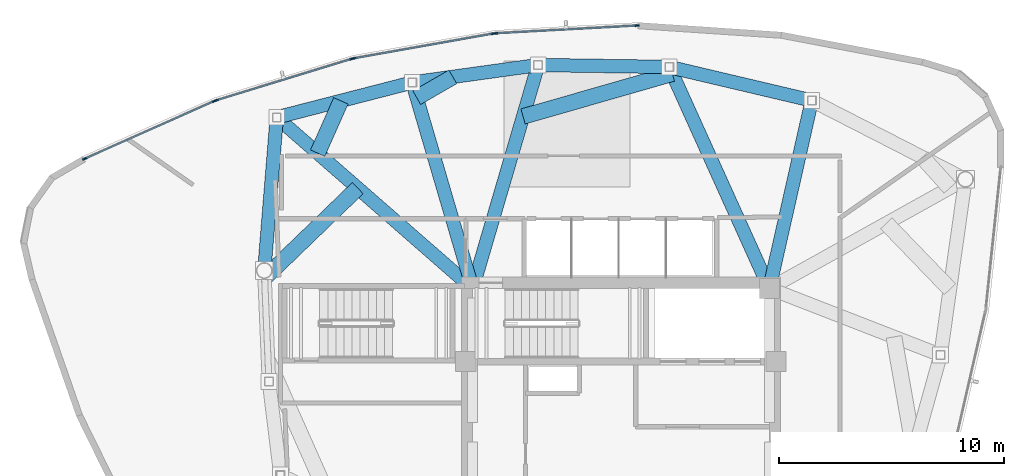
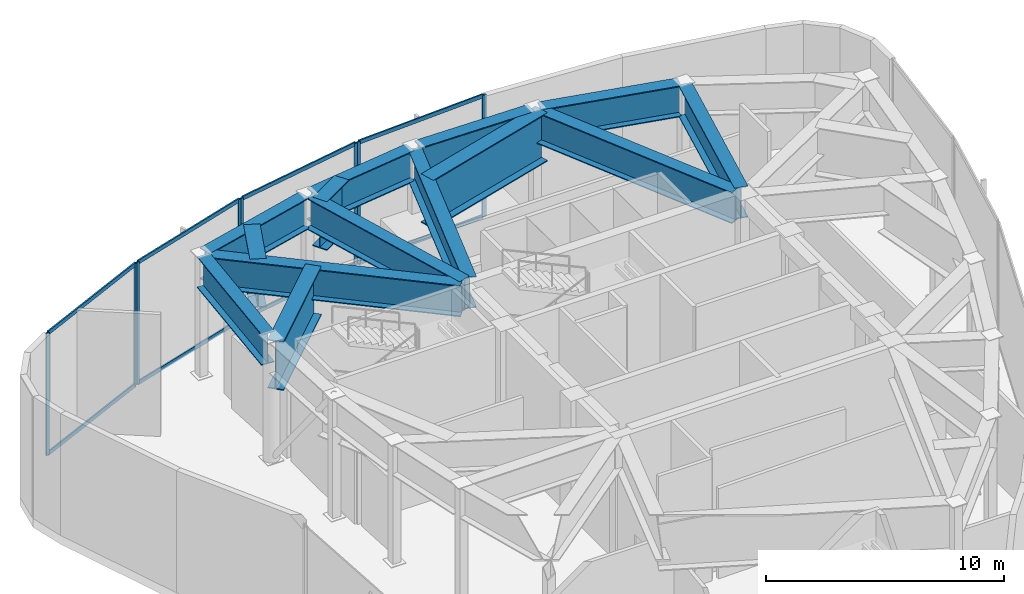
# One storey, part 5 of 13: 16 members, 14 beams, 4 elements without a shape of their own.
"""IFC4 building model written with IfcOpenShell, lengths in metres."""

from ifc_helpers import new_model, si_unit, direction, frame, origin, origin_2d, place, context, subcontext, project, spatial, hollow_rectangle, i_section, extrude, source, transform, mapped, material, layer, layer_set, material_profile, profile_set, type_object, type_shapes, element, aggregate, save


model = new_model("IFC4")

# Units and contexts
model_context = context("Model", 3, precision=1e-05, world=origin(), true_north=direction((0.0, 1.0)))
body_context = subcontext(model_context, "Body", "Model", "MODEL_VIEW")
ifc_project = project(units=[si_unit("LENGTHUNIT", "METRE"), si_unit("AREAUNIT", "SQUARE_METRE"), si_unit("VOLUMEUNIT", "CUBIC_METRE"), si_unit("PLANEANGLEUNIT", "RADIAN"), si_unit("MASSUNIT", "GRAM", prefix="KILO")], contexts=[model_context])

# Site, building, storey
site_placement = place(None, origin())
site = spatial("IfcSite", under=ifc_project, at=site_placement, CompositionType="ELEMENT")
building_placement = place(site_placement, origin())
building = spatial("IfcBuilding", under=site, at=building_placement, Name="Tavelor Broadcast Tower", CompositionType="ELEMENT")
storey_placement = place(building_placement, frame((0.0, 0.0, 325.5)))
storey = spatial("IfcBuildingStorey", under=building, at=storey_placement, Name="L78", CompositionType="ELEMENT", Elevation=325.5)

# Beams
ifc_material_1 = material(Name="Steel S460", Category="steel")
ifc_material_profile_1 = material_profile(ifc_material_1, i_section(OverallWidth=0.60009765625, OverallDepth=1.60009765625, WebThickness=0.028076171875, FlangeThickness=0.048095703125, at=origin_2d()), Name="PG 1600x600")
ifc_profile_set_1 = profile_set([ifc_material_profile_1], Name="Steel S460")
beam_type_1 = type_object("IfcBeamType", Name="Crown and Spire Transfer Girder PG1600", PredefinedType="BEAM", material=ifc_profile_set_1)
beam_1_placement = place(storey_placement, frame((58.298583984375, 59.601318359375, 5.449951171875), z_axis=(-0.973341352965, 0.229361310181, 0.0), x_axis=(-0.229361310181, -0.973341352965, 0.0)))
element("IfcBeam", 1, at=beam_1_placement, inside=storey, type_object=beam_type_1, Name="L78 Framed-Tube Ring Spandrel 14", PredefinedType="BEAM", context=body_context, shape_type="SweptSolid", body=[
    extrude(i_section(OverallWidth=0.60009765625, OverallDepth=1.60009765625, WebThickness=0.028076171875, FlangeThickness=0.048095703125, at=origin_2d()), origin(), (0.0, 0.0, 1.0), 6.1279296875),
])
beam_2_placement = place(storey_placement, frame((51.955078125, 61.0537109375, 5.449951171875), z_axis=(-0.999889988423, 0.014832769514, 0.0), x_axis=(-0.014832769514, -0.999889988423, 0.0)))
element("IfcBeam", 2, at=beam_2_placement, inside=storey, type_object=beam_type_1, Name="L78 Framed-Tube Ring Spandrel 15", PredefinedType="BEAM", context=body_context, shape_type="SweptSolid", body=[
    extrude(i_section(OverallWidth=0.60009765625, OverallDepth=1.60009765625, WebThickness=0.028076171875, FlangeThickness=0.048095703125, at=origin_2d()), origin(), (0.0, 0.0, 1.0), 5.447998046875),
])
beam_3_placement = place(storey_placement, frame((46.125244140625, 61.11083984375, 5.449951171875), z_axis=(-0.990516995132, -0.137390255677, 0.0), x_axis=(0.137390255677, -0.990516995132, 0.0)))
element("IfcBeam", 3, at=beam_3_placement, inside=storey, type_object=beam_type_1, Name="L78 Framed-Tube Ring Spandrel 16", PredefinedType="BEAM", context=body_context, shape_type="SweptSolid", body=[
    extrude(i_section(OverallWidth=0.60009765625, OverallDepth=1.60009765625, WebThickness=0.028076171875, FlangeThickness=0.048095703125, at=origin_2d()), origin(), (0.0, 0.0, 1.0), 5.26708984375),
])
beam_4_placement = place(storey_placement, frame((40.531982421875, 60.31298828125, 5.449951171875), z_axis=(-0.96843501409, -0.249266169955, 0.0), x_axis=(0.249266169955, -0.96843501409, 0.0)))
element("IfcBeam", 4, at=beam_4_placement, inside=storey, type_object=beam_type_1, Name="L78 Framed-Tube Ring Spandrel 17", PredefinedType="BEAM", context=body_context, shape_type="SweptSolid", body=[
    extrude(i_section(OverallWidth=0.60009765625, OverallDepth=1.60009765625, WebThickness=0.028076171875, FlangeThickness=0.048095703125, at=origin_2d()), origin(), (0.0, 0.0, 1.0), 5.84130859375),
])
beam_5_placement = place(storey_placement, frame((34.673583984375, 58.61767578125, 5.449951171875), z_axis=(-0.081080064874, -0.996707591563, 0.0), x_axis=(0.996707591563, -0.081080064874, 0.0)))
element("IfcBeam", 5, at=beam_5_placement, inside=storey, type_object=beam_type_1, Name="L78 Framed-Tube Ring Spandrel 18", PredefinedType="BEAM", context=body_context, shape_type="SweptSolid", body=[
    extrude(i_section(OverallWidth=0.60009765625, OverallDepth=1.60009765625, WebThickness=0.028076171875, FlangeThickness=0.048095703125, at=origin_2d()), origin(), (0.0, 0.0, 1.0), 6.30224609375),
])
beam_6_placement = place(storey_placement, frame((56.695068359375, 51.621337890625, 5.449951171875), z_axis=(0.220095779936, 0.975478266111, 0.0), x_axis=(-0.975478266111, 0.220095779936, 0.0)))
element("IfcBeam", 6, at=beam_6_placement, inside=storey, type_object=beam_type_1, Name="L78 Radial Primary Floor Girder 14", PredefinedType="BEAM", context=body_context, shape_type="SweptSolid", body=[
    extrude(i_section(OverallWidth=0.60009765625, OverallDepth=1.60009765625, WebThickness=0.028076171875, FlangeThickness=0.048095703125, at=origin_2d()), origin(), (0.0, 0.0, 1.0), 7.943359375),
])
beam_7_placement = place(storey_placement, frame((56.422119140625, 51.59375, 5.449951171875), z_axis=(-0.411898788623, 0.911229602203, 0.0), x_axis=(-0.911229602203, -0.411898788623, 0.0)))
element("IfcBeam", 7, at=beam_7_placement, inside=storey, type_object=beam_type_1, Name="L78 Radial Primary Floor Girder 15", PredefinedType="BEAM", context=body_context, shape_type="SweptSolid", body=[
    extrude(i_section(OverallWidth=0.60009765625, OverallDepth=1.60009765625, WebThickness=0.028076171875, FlangeThickness=0.048095703125, at=origin_2d()), origin(), (0.0, 0.0, 1.0), 10.1865234375),
])
beam_8_placement = place(storey_placement, frame((43.521484375, 51.614501953125, 5.449951171875), z_axis=(0.281536086391, 0.959550640696, 0.0), x_axis=(-0.959550640696, 0.281536086391, 0.0)))
element("IfcBeam", 8, at=beam_8_placement, inside=storey, type_object=beam_type_1, Name="L78 Radial Primary Floor Girder 16", PredefinedType="BEAM", context=body_context, shape_type="SweptSolid", body=[
    extrude(i_section(OverallWidth=0.60009765625, OverallDepth=1.60009765625, WebThickness=0.028076171875, FlangeThickness=0.048095703125, at=origin_2d()), origin(), (0.0, 0.0, 1.0), 9.732177734375),
])
beam_9_placement = place(storey_placement, frame((43.278564453125, 51.614501953125, 5.449951171875), z_axis=(-0.280989740676, 0.959710771866, 0.0), x_axis=(-0.959710771866, -0.280989740676, 0.0)))
element("IfcBeam", 9, at=beam_9_placement, inside=storey, type_object=beam_type_1, Name="L78 Radial Primary Floor Girder 17", PredefinedType="BEAM", context=body_context, shape_type="SweptSolid", body=[
    extrude(i_section(OverallWidth=0.60009765625, OverallDepth=1.60009765625, WebThickness=0.028076171875, FlangeThickness=0.048095703125, at=origin_2d()), origin(), (0.0, 0.0, 1.0), 8.92138671875),
])
beam_10_placement = place(storey_placement, frame((43.07470703125, 51.484130859375, 5.449951171875), z_axis=(-0.753136193323, 0.657864632206, 0.0), x_axis=(-0.657864632206, -0.753136193323, 0.0)))
element("IfcBeam", 10, at=beam_10_placement, inside=storey, type_object=beam_type_1, Name="L78 Radial Primary Floor Girder 18", PredefinedType="BEAM", context=body_context, shape_type="SweptSolid", body=[
    extrude(i_section(OverallWidth=0.60009765625, OverallDepth=1.60009765625, WebThickness=0.028076171875, FlangeThickness=0.048095703125, at=origin_2d()), origin(), (0.0, 0.0, 1.0), 10.942138671875),
])
ifc_material_profile_2 = material_profile(ifc_material_1, i_section(OverallWidth=0.699951171875, OverallDepth=2.5, WebThickness=0.031982421875, FlangeThickness=0.052001953125, at=origin_2d()), Name="PG 2500x700")
ifc_profile_set_2 = profile_set([ifc_material_profile_2], Name="Steel S460")
beam_type_2 = type_object("IfcBeamType", Name="Opposite Slide Transfer Girder HEB900", PredefinedType="BEAM", material=ifc_profile_set_2)
beam_11_placement = place(storey_placement, frame((36.50830078125, 57.219970703125, 5.0), z_axis=(0.406717304238, 0.913554067603, 0.0), x_axis=(-0.913554067603, 0.406717304238, 0.0)))
element("IfcBeam", 11, at=beam_11_placement, inside=storey, type_object=beam_type_2, Name="L78 Transfer Header Girder 01", PredefinedType="BEAM", context=body_context, shape_type="SweptSolid", body=[
    extrude(i_section(OverallWidth=0.699951171875, OverallDepth=2.5, WebThickness=0.031982421875, FlangeThickness=0.052001953125, at=origin_2d()), origin(), (0.0, 0.0, 1.0), 2.54345703125),
])
beam_12_placement = place(storey_placement, frame((34.148681640625, 51.663818359375, 5.0), z_axis=(0.719338621717, 0.694659590955, 0.0), x_axis=(-0.694659590955, 0.719338621717, 0.0)))
element("IfcBeam", 12, at=beam_12_placement, inside=storey, type_object=beam_type_2, Name="L78 Transfer Header Girder 02", PredefinedType="BEAM", context=body_context, shape_type="SweptSolid", body=[
    extrude(i_section(OverallWidth=0.699951171875, OverallDepth=2.5, WebThickness=0.031982421875, FlangeThickness=0.052001953125, at=origin_2d()), origin(), (0.0, 0.0, 1.0), 5.757568359375),
])
beam_13_placement = place(storey_placement, frame((45.644287109375, 58.84912109375, 5.0), z_axis=(0.961252641841, 0.275668929249, 0.0), x_axis=(-0.275668929249, 0.961252641841, 0.0)))
element("IfcBeam", 13, at=beam_13_placement, inside=storey, type_object=beam_type_2, Name="L78 Transfer Header Girder 08", PredefinedType="BEAM", context=body_context, shape_type="SweptSolid", body=[
    extrude(i_section(OverallWidth=0.699951171875, OverallDepth=2.5, WebThickness=0.031982421875, FlangeThickness=0.052001953125, at=origin_2d()), origin(), (0.0, 0.0, 1.0), 6.9052734375),
])
beam_14_placement = place(storey_placement, frame((40.916015625, 59.684326171875, 5.0), z_axis=(0.865988083811, 0.50006463452, 0.0), x_axis=(-0.50006463452, 0.865988083811, 0.0)))
element("IfcBeam", 14, at=beam_14_placement, inside=storey, type_object=beam_type_2, Name="L78 Transfer Header Girder 10", PredefinedType="BEAM", context=body_context, shape_type="SweptSolid", body=[
    extrude(i_section(OverallWidth=0.699951171875, OverallDepth=2.5, WebThickness=0.031982421875, FlangeThickness=0.052001953125, at=origin_2d()), origin(), (0.0, 0.0, 1.0), 1.852783203125),
])

# Curtain wall, members
ifc_material_2 = material(Name="Architectural Anodized Aluminium", Category="aluminium")
ifc_layer = layer(ifc_material_2, 0.199951171875)
ifc_layer_set = layer_set([ifc_layer], Name="Architectural Anodized Aluminium")
curtain_wall_type = type_object("IfcCurtainWallType", Name="Tower High-Zone Triple-Glazed Curtain Wall CW04", PredefinedType="NOTDEFINED", material=ifc_layer_set)
curtain_wall_1_placement = place(storey_placement, origin())
curtain_wall_1 = element("IfcCurtainWall", 15, at=curtain_wall_1_placement, inside=storey, type_object=curtain_wall_type, Name="L78 Curtain Wall CW04 Run 873", PredefinedType="NOTDEFINED")
ifc_material_profile_3 = material_profile(ifc_material_2, hollow_rectangle(XDim=0.070068359375, YDim=0.199951171875, WallThickness=0.02197265625, at=origin_2d()), Name="RHS 70x200x22")
ifc_profile_set_3 = profile_set([ifc_material_profile_3], Name="Architectural Anodized Aluminium")
member_type_1 = type_object("IfcMemberType", Name="CW04 Extruded Aluminium Mullion 70x200", PredefinedType="MULLION", material=ifc_profile_set_3)
shared_shape_1 = source(origin(), body_context, "Body", "SweptSolid", [
    extrude(hollow_rectangle(XDim=0.070068359375, YDim=0.199951171875, WallThickness=0.02197265625, at=origin_2d()), origin(), (0.0, 0.0, 1.0), 6.25),
])
type_shapes(member_type_1, [shared_shape_1])
member_1_placement = place(storey_placement, frame((50.72119140625, 62.889892578125, 0.0), z_axis=(0.0, 0.0, 1.0), x_axis=(0.054494325177, -0.998514080283, 0.0)))
member_1 = element("IfcMember", 16, at=member_1_placement, type_object=member_type_1, Name="CW04 mullion 1", PredefinedType="MULLION", context=body_context, shape_type="MappedRepresentation", body=[
    mapped(shared_shape_1, transform((0.0, 0.0, 0.0), scale=1.0)),
])
member_2_placement = place(storey_placement, frame((44.420166015625, 62.546142578125, 0.0), z_axis=(0.0, 0.0, 1.0), x_axis=(0.054494325177, -0.998514080283, 0.0)))
member_2 = element("IfcMember", 17, at=member_2_placement, type_object=member_type_1, Name="CW04 mullion 2", PredefinedType="MULLION", context=body_context, shape_type="MappedRepresentation", body=[
    mapped(shared_shape_1, transform((0.0, 0.0, 0.0), scale=1.0)),
])

curtain_wall_2_placement = place(storey_placement, origin())
curtain_wall_2 = element("IfcCurtainWall", 18, at=curtain_wall_2_placement, inside=storey, type_object=curtain_wall_type, Name="L78 Curtain Wall CW04 Run 874", PredefinedType="NOTDEFINED")
member_3_placement = place(storey_placement, frame((44.321044921875, 62.53466796875, 0.0), z_axis=(0.0, 0.0, 1.0), x_axis=(0.174926058903, -0.984581573013, 0.0)))
member_3 = element("IfcMember", 19, at=member_3_placement, type_object=member_type_1, Name="CW04 mullion 1", PredefinedType="MULLION", context=body_context, shape_type="MappedRepresentation", body=[
    mapped(shared_shape_1, transform((0.0, 0.0, 0.0), scale=1.0)),
])
member_4_placement = place(storey_placement, frame((38.12255859375, 61.433349609375, 0.0), z_axis=(0.0, 0.0, 1.0), x_axis=(0.174926058903, -0.984581573013, 0.0)))
member_4 = element("IfcMember", 20, at=member_4_placement, type_object=member_type_1, Name="CW04 mullion 2", PredefinedType="MULLION", context=body_context, shape_type="MappedRepresentation", body=[
    mapped(shared_shape_1, transform((0.0, 0.0, 0.0), scale=1.0)),
])

curtain_wall_3_placement = place(storey_placement, origin())
curtain_wall_3 = element("IfcCurtainWall", 21, at=curtain_wall_3_placement, inside=storey, type_object=curtain_wall_type, Name="L78 Curtain Wall CW04 Run 875", PredefinedType="NOTDEFINED")
member_5_placement = place(storey_placement, frame((38.025390625, 61.409912109375, 0.0), z_axis=(0.0, 0.0, 1.0), x_axis=(0.292812764146, -0.956169799331, 0.0)))
member_5 = element("IfcMember", 22, at=member_5_placement, type_object=member_type_1, Name="CW04 mullion 1", PredefinedType="MULLION", context=body_context, shape_type="MappedRepresentation", body=[
    mapped(shared_shape_1, transform((0.0, 0.0, 0.0), scale=1.0)),
])
member_6_placement = place(storey_placement, frame((32.005859375, 59.566650390625, 0.0), z_axis=(0.0, 0.0, 1.0), x_axis=(0.292812764146, -0.956169799331, 0.0)))
member_6 = element("IfcMember", 23, at=member_6_placement, type_object=member_type_1, Name="CW04 mullion 2", PredefinedType="MULLION", context=body_context, shape_type="MappedRepresentation", body=[
    mapped(shared_shape_1, transform((0.0, 0.0, 0.0), scale=1.0)),
])

curtain_wall_4_placement = place(storey_placement, origin())
curtain_wall_4 = element("IfcCurtainWall", 24, at=curtain_wall_4_placement, inside=storey, type_object=curtain_wall_type, Name="L78 Curtain Wall CW04 Run 876", PredefinedType="NOTDEFINED")
member_7_placement = place(storey_placement, frame((31.912353515625, 59.531494140625, 0.0), z_axis=(0.0, 0.0, 1.0), x_axis=(0.406365270721, -0.913710712836, 0.0)))
member_7 = element("IfcMember", 25, at=member_7_placement, type_object=member_type_1, Name="CW04 mullion 1", PredefinedType="MULLION", context=body_context, shape_type="MappedRepresentation", body=[
    mapped(shared_shape_1, transform((0.0, 0.0, 0.0), scale=1.0)),
])
member_8_placement = place(storey_placement, frame((26.1455078125, 56.966796875, 0.0), z_axis=(0.0, 0.0, 1.0), x_axis=(0.406365270721, -0.913710712836, 0.0)))
member_8 = element("IfcMember", 26, at=member_8_placement, type_object=member_type_1, Name="CW04 mullion 2", PredefinedType="MULLION", context=body_context, shape_type="MappedRepresentation", body=[
    mapped(shared_shape_1, transform((0.0, 0.0, 0.0), scale=1.0)),
])

# Member
ifc_material_profile_4 = material_profile(ifc_material_2, hollow_rectangle(XDim=0.070068359375, YDim=0.199951171875, WallThickness=0.02197265625, at=origin_2d()), Name="RHS 70x200x22")
ifc_profile_set_4 = profile_set([ifc_material_profile_4], Name="Architectural Anodized Aluminium")
member_type_2 = type_object("IfcMemberType", Name="CW04 Extruded Aluminium Transom 70x200", PredefinedType="USERDEFINED", material=ifc_profile_set_4)
shared_shape_2 = source(origin(), body_context, "Body", "SweptSolid", [
    extrude(hollow_rectangle(XDim=0.070068359375, YDim=0.199951171875, WallThickness=0.02197265625, at=origin_2d()), origin(), (0.0, 0.0, 1.0), 6.225341796875),
])
member_9_placement = place(storey_placement, frame((44.286376953125, 62.528564453125, 0.034912109375), z_axis=(-0.98457797291, -0.174946321085, 0.0), x_axis=(0.174946321085, -0.98457797291, 0.0)))
member_9 = element("IfcMember", 27, at=member_9_placement, type_object=member_type_2, Name="CW04 transom 1.1", ObjectType="TRANSOM", PredefinedType="USERDEFINED", context=body_context, shape_type="MappedRepresentation", body=[
    mapped(shared_shape_2, transform((0.0, 0.0, 0.0), scale=1.0)),
])

member_10_placement = place(storey_placement, frame((44.286376953125, 62.528564453125, 6.215087890625), z_axis=(-0.98457797291, -0.174946321085, 0.0), x_axis=(0.174946321085, -0.98457797291, 0.0)))
member_10 = element("IfcMember", 28, at=member_10_placement, type_object=member_type_2, Name="CW04 transom 1.2", ObjectType="TRANSOM", PredefinedType="USERDEFINED", context=body_context, shape_type="MappedRepresentation", body=[
    mapped(shared_shape_2, transform((0.0, 0.0, 0.0), scale=1.0)),
])

aggregate(curtain_wall_2, [member_3, member_4, member_9, member_10])

member_11_placement = place(storey_placement, frame((37.991943359375, 61.399658203125, 0.034912109375), z_axis=(-0.956176655549, -0.29279037447, 0.0), x_axis=(0.29279037447, -0.956176655549, 0.0)))
member_11 = element("IfcMember", 29, at=member_11_placement, type_object=member_type_2, Name="CW04 transom 1.1", ObjectType="TRANSOM", PredefinedType="USERDEFINED", context=body_context, shape_type="MappedRepresentation", body=[
    mapped(shared_shape_2, transform((0.0, 0.0, 0.0), scale=1.0)),
])

member_12_placement = place(storey_placement, frame((37.991943359375, 61.399658203125, 6.215087890625), z_axis=(-0.956176655549, -0.29279037447, 0.0), x_axis=(0.29279037447, -0.956176655549, 0.0)))
member_12 = element("IfcMember", 30, at=member_12_placement, type_object=member_type_2, Name="CW04 transom 1.2", ObjectType="TRANSOM", PredefinedType="USERDEFINED", context=body_context, shape_type="MappedRepresentation", body=[
    mapped(shared_shape_2, transform((0.0, 0.0, 0.0), scale=1.0)),
])

aggregate(curtain_wall_3, [member_5, member_6, member_11, member_12])

shared_shape_3 = source(origin(), body_context, "Body", "SweptSolid", [
    extrude(hollow_rectangle(XDim=0.070068359375, YDim=0.199951171875, WallThickness=0.02197265625, at=origin_2d()), origin(), (0.0, 0.0, 1.0), 6.241455078125),
])
member_13_placement = place(storey_placement, frame((31.88037109375, 59.517333984375, 0.034912109375), z_axis=(-0.913706671616, -0.406374357268, 0.0), x_axis=(0.406374357268, -0.913706671616, 0.0)))
member_13 = element("IfcMember", 31, at=member_13_placement, type_object=member_type_2, Name="CW04 transom 1.1", ObjectType="TRANSOM", PredefinedType="USERDEFINED", context=body_context, shape_type="MappedRepresentation", body=[
    mapped(shared_shape_3, transform((0.0, 0.0, 0.0), scale=1.0)),
])

member_14_placement = place(storey_placement, frame((31.88037109375, 59.517333984375, 6.215087890625), z_axis=(-0.913706671616, -0.406374357268, 0.0), x_axis=(0.406374357268, -0.913706671616, 0.0)))
member_14 = element("IfcMember", 32, at=member_14_placement, type_object=member_type_2, Name="CW04 transom 1.2", ObjectType="TRANSOM", PredefinedType="USERDEFINED", context=body_context, shape_type="MappedRepresentation", body=[
    mapped(shared_shape_3, transform((0.0, 0.0, 0.0), scale=1.0)),
])

aggregate(curtain_wall_4, [member_7, member_8, member_13, member_14])

shared_shape_4 = source(origin(), body_context, "Body", "SweptSolid", [
    extrude(hollow_rectangle(XDim=0.070068359375, YDim=0.199951171875, WallThickness=0.02197265625, at=origin_2d()), origin(), (0.0, 0.0, 1.0), 6.240478515625),
])
type_shapes(member_type_2, [shared_shape_2, shared_shape_3, shared_shape_4])
member_15_placement = place(storey_placement, frame((50.686279296875, 62.88818359375, 0.034912109375), z_axis=(-0.998513927947, -0.05449711639, 0.0), x_axis=(0.05449711639, -0.998513927947, 0.0)))
member_15 = element("IfcMember", 33, at=member_15_placement, type_object=member_type_2, Name="CW04 transom 1.1", ObjectType="TRANSOM", PredefinedType="USERDEFINED", context=body_context, shape_type="MappedRepresentation", body=[
    mapped(shared_shape_4, transform((0.0, 0.0, 0.0), scale=1.0)),
])

member_16_placement = place(storey_placement, frame((50.686279296875, 62.88818359375, 6.215087890625), z_axis=(-0.998513927947, -0.05449711639, 0.0), x_axis=(0.05449711639, -0.998513927947, 0.0)))
member_16 = element("IfcMember", 34, at=member_16_placement, type_object=member_type_2, Name="CW04 transom 1.2", ObjectType="TRANSOM", PredefinedType="USERDEFINED", context=body_context, shape_type="MappedRepresentation", body=[
    mapped(shared_shape_4, transform((0.0, 0.0, 0.0), scale=1.0)),
])

aggregate(curtain_wall_1, [member_1, member_2, member_15, member_16])

save(model, "model.ifc")
